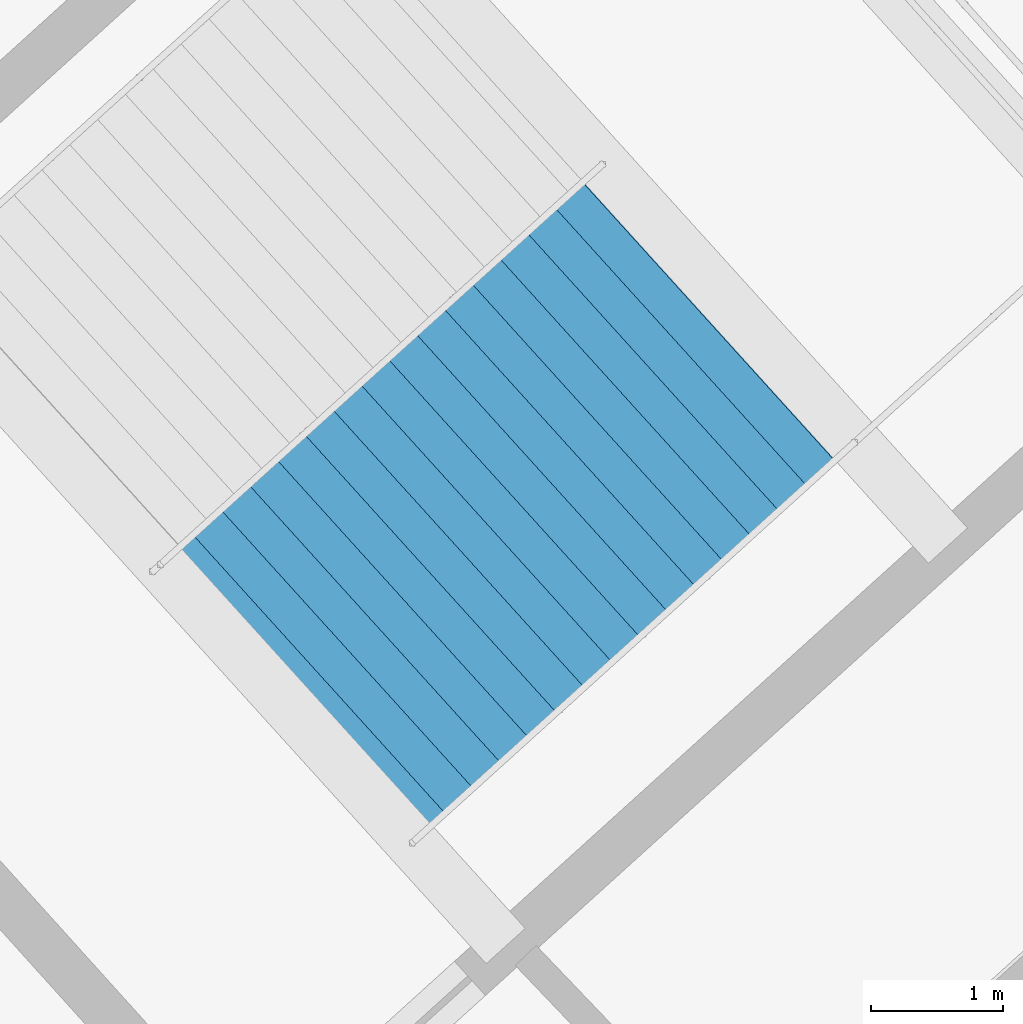
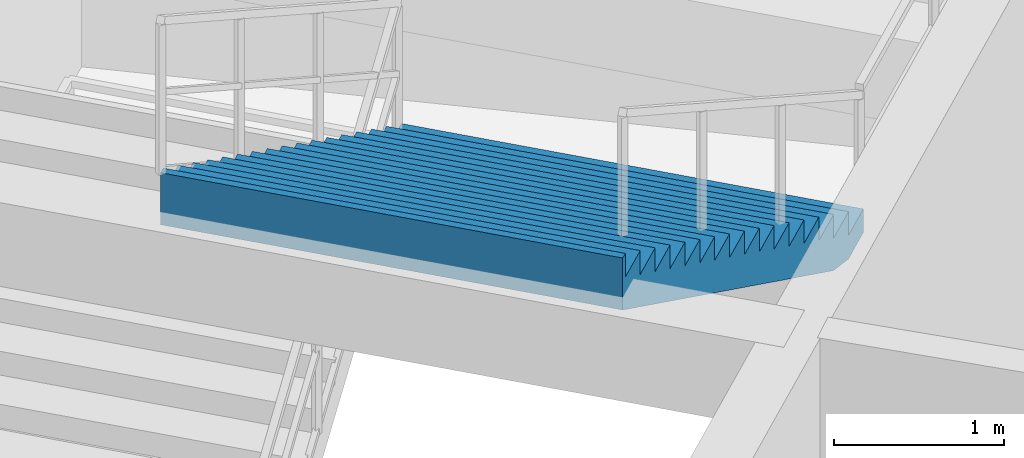
# One storey, part 27 of 48: 1 stair flight, 1 element without a shape of its own.
"""IFC4 building model written with IfcOpenShell, lengths in metres."""

from ifc_helpers import new_model, si_unit, direction, frame, origin, place, context, subcontext, project, spatial, polygons, material, type_object, element, aggregate, save


model = new_model("IFC4")

# Units and contexts
model_context = context("Model", 3, precision=1e-05, world=origin(), true_north=direction((0.0, 1.0)))
body_context = subcontext(model_context, "Body", "Model", "MODEL_VIEW")
ifc_project = project(units=[si_unit("LENGTHUNIT", "METRE"), si_unit("AREAUNIT", "SQUARE_METRE"), si_unit("VOLUMEUNIT", "CUBIC_METRE"), si_unit("PLANEANGLEUNIT", "RADIAN"), si_unit("MASSUNIT", "GRAM", prefix="KILO")], contexts=[model_context])

# Site, building, storey
site_placement = place(None, origin())
site = spatial("IfcSite", under=ifc_project, at=site_placement, CompositionType="ELEMENT")
building_placement = place(site_placement, origin())
building = spatial("IfcBuilding", under=site, at=building_placement, Name="Kazemori Nagisa Stadium", CompositionType="ELEMENT")
storey_placement = place(building_placement, origin())
storey = spatial("IfcBuildingStorey", under=building, at=storey_placement, Name="L00", CompositionType="ELEMENT", Elevation=0.0)

# Stair, stair flight
ifc_material = material(Name="Concrete C36/45 (Fc36)", Category="concrete")
stair_type = type_object("IfcStairType", Name="Stair_CORE_34", PredefinedType="TWO_STRAIGHT_RUN_STAIR", material=ifc_material)
stair_placement = place(storey_placement, origin())
stair = element("IfcStair", 1, at=stair_placement, inside=storey, type_object=stair_type, Name="Exit stair ST04 L00", PredefinedType="TWO_STRAIGHT_RUN_STAIR")
stair_flight_type = type_object("IfcStairFlightType", Name="Flight_CORE_17", PredefinedType="STRAIGHT", material=ifc_material)
stair_flight_placement = place(storey_placement, frame((188.16552734375, 40.445068359375, 2.889892578125), z_axis=(0.0, 0.0, 1.0), x_axis=(-0.741355642131, -0.671112369041, 0.0)))
stair_flight = element("IfcStairFlight", 2, at=stair_flight_placement, type_object=stair_flight_type, Name="Exit stair ST04 L00 flight 2", NumberOfRisers=17, NumberOfTreads=16, PredefinedType="STRAIGHT", RiserHeight=0.17, TreadLength=0.285, context=body_context, shape_type="Tessellation", body=[
    polygons([(0.0, -1.425048828125, 0.0), (0.0, -1.425048828125, 0.169921875), (0.284912109375, -1.425048828125, 0.169921875), (0.284912109375, -1.425048828125, 0.340087890625), (0.570068359375, -1.425048828125, 0.340087890625), (0.570068359375, -1.425048828125, 0.510009765625), (0.85498046875, -1.425048828125, 0.510009765625), (0.85498046875, -1.425048828125, 0.679931640625), (1.139892578125, -1.425048828125, 0.679931640625), (1.139892578125, -1.425048828125, 0.85009765625), (1.425048828125, -1.425048828125, 0.85009765625), (1.425048828125, -1.425048828125, 1.02001953125), (1.7099609375, -1.425048828125, 1.02001953125), (1.7099609375, -1.425048828125, 1.18994140625), (1.9951171875, -1.425048828125, 1.18994140625), (1.9951171875, -1.425048828125, 1.360107421875), (2.280029296875, -1.425048828125, 1.360107421875), (2.280029296875, -1.425048828125, 1.530029296875), (2.56494140625, -1.425048828125, 1.530029296875), (2.56494140625, -1.425048828125, 1.699951171875), (2.85009765625, -1.425048828125, 1.699951171875), (2.85009765625, -1.425048828125, 1.8701171875), (3.135009765625, -1.425048828125, 1.8701171875), (3.135009765625, -1.425048828125, 2.0400390625), (3.419921875, -1.425048828125, 2.0400390625), (3.419921875, -1.425048828125, 2.2099609375), (3.705078125, -1.425048828125, 2.2099609375), (3.705078125, -1.425048828125, 2.3798828125), (3.989990234375, -1.425048828125, 2.3798828125), (3.989990234375, -1.425048828125, 2.550048828125), (4.27490234375, -1.425048828125, 2.550048828125), (4.27490234375, -1.425048828125, 2.719970703125), (4.56005859375, -1.425048828125, 2.719970703125), (4.56005859375, -1.425048828125, 2.889892578125), (4.610107421875, -1.425048828125, 2.889892578125), (4.610107421875, -1.425048828125, 2.51708984375), (4.56005859375, -1.425048828125, 2.487060546875), (4.27490234375, -1.425048828125, 2.317138671875), (3.989990234375, -1.425048828125, 2.147216796875), (3.705078125, -1.425048828125, 1.977294921875), (3.419921875, -1.425048828125, 1.80712890625), (3.135009765625, -1.425048828125, 1.63720703125), (2.85009765625, -1.425048828125, 1.46728515625), (2.56494140625, -1.425048828125, 1.297119140625), (2.280029296875, -1.425048828125, 1.127197265625), (1.9951171875, -1.425048828125, 0.957275390625), (1.7099609375, -1.425048828125, 0.787109375), (1.425048828125, -1.425048828125, 0.6171875), (1.139892578125, -1.425048828125, 0.447265625), (0.85498046875, -1.425048828125, 0.277099609375), (0.570068359375, -1.425048828125, 0.107177734375), (0.284912109375, -1.425048828125, 0.0), (0.0, -0.08544921875, 0.0), (0.0, -0.08544921875, 0.169921875), (0.284912109375, -0.08544921875, 0.169921875), (0.284912109375, -0.08544921875, 0.340087890625), (0.570068359375, -0.08544921875, 0.340087890625), (0.570068359375, -0.08544921875, 0.510009765625), (0.85498046875, -0.08544921875, 0.510009765625), (0.85498046875, -0.08544921875, 0.679931640625), (1.139892578125, -0.08544921875, 0.679931640625), (1.139892578125, -0.08544921875, 0.85009765625), (1.425048828125, -0.08544921875, 0.85009765625), (1.425048828125, -0.08544921875, 1.02001953125), (1.7099609375, -0.08544921875, 1.02001953125), (1.7099609375, -0.08544921875, 1.18994140625), (1.9951171875, -0.08544921875, 1.18994140625), (1.9951171875, -0.08544921875, 1.360107421875), (2.280029296875, -0.08544921875, 1.360107421875), (2.280029296875, -0.08544921875, 1.530029296875), (2.56494140625, -0.08544921875, 1.530029296875), (2.56494140625, -0.08544921875, 1.699951171875), (2.85009765625, -0.08544921875, 1.699951171875), (2.85009765625, -0.08544921875, 1.8701171875), (3.135009765625, -0.08544921875, 1.8701171875), (3.135009765625, -0.08544921875, 2.0400390625), (3.419921875, -0.08544921875, 2.0400390625), (3.419921875, -0.08544921875, 2.2099609375), (3.705078125, -0.08544921875, 2.2099609375), (3.705078125, -0.08544921875, 2.3798828125), (3.989990234375, -0.08544921875, 2.3798828125), (3.989990234375, -0.08544921875, 2.550048828125), (4.27490234375, -0.08544921875, 2.550048828125), (4.27490234375, -0.08544921875, 2.719970703125), (4.56005859375, -0.08544921875, 2.719970703125), (4.56005859375, -0.08544921875, 2.889892578125), (4.610107421875, -0.08544921875, 2.889892578125), (4.610107421875, -0.08544921875, 2.51708984375), (4.56005859375, -0.08544921875, 2.487060546875), (4.27490234375, -0.08544921875, 2.317138671875), (3.989990234375, -0.08544921875, 2.147216796875), (3.705078125, -0.08544921875, 1.977294921875), (3.419921875, -0.08544921875, 1.80712890625), (3.135009765625, -0.08544921875, 1.63720703125), (2.85009765625, -0.08544921875, 1.46728515625), (2.56494140625, -0.08544921875, 1.297119140625), (2.280029296875, -0.08544921875, 1.127197265625), (1.9951171875, -0.08544921875, 0.957275390625), (1.7099609375, -0.08544921875, 0.787109375), (1.425048828125, -0.08544921875, 0.6171875), (1.139892578125, -0.08544921875, 0.447265625), (0.85498046875, -0.08544921875, 0.277099609375), (0.570068359375, -0.08544921875, 0.107177734375), (0.284912109375, -0.08544921875, 0.0), (0.0, 0.0, 0.0), (0.0, 0.0, 0.169921875), (0.284912109375, 0.0, 0.169921875), (0.284912109375, 0.0, 0.340087890625), (0.570068359375, 0.0, 0.340087890625), (0.570068359375, 0.0, 0.510009765625), (0.85498046875, 0.0, 0.510009765625), (0.85498046875, 0.0, 0.679931640625), (1.139892578125, 0.0, 0.679931640625), (1.139892578125, 0.0, 0.85009765625), (1.425048828125, 0.0, 0.85009765625), (1.425048828125, 0.0, 1.02001953125), (1.7099609375, 0.0, 1.02001953125), (1.7099609375, 0.0, 1.18994140625), (1.9951171875, 0.0, 1.18994140625), (1.9951171875, 0.0, 1.360107421875), (2.280029296875, 0.0, 1.360107421875), (2.280029296875, 0.0, 1.530029296875), (2.56494140625, 0.0, 1.530029296875), (2.56494140625, 0.0, 1.699951171875), (2.85009765625, 0.0, 1.699951171875), (2.85009765625, 0.0, 1.8701171875), (3.135009765625, 0.0, 1.8701171875), (3.135009765625, 0.0, 2.0400390625), (3.419921875, 0.0, 2.0400390625), (3.419921875, 0.0, 2.2099609375), (3.705078125, 0.0, 2.2099609375), (3.705078125, 0.0, 2.3798828125), (3.989990234375, 0.0, 2.3798828125), (3.989990234375, 0.0, 2.550048828125), (4.27490234375, 0.0, 2.550048828125), (4.27490234375, 0.0, 2.719970703125), (4.56005859375, 0.0, 2.719970703125), (4.56005859375, 0.0, 2.889892578125), (4.610107421875, 0.0, 2.889892578125), (4.610107421875, 0.0, 2.51708984375), (4.56005859375, 0.0, 2.487060546875), (4.27490234375, 0.0, 2.317138671875), (3.989990234375, 0.0, 2.147216796875), (3.705078125, 0.0, 1.977294921875), (3.419921875, 0.0, 1.80712890625), (3.135009765625, 0.0, 1.63720703125), (2.85009765625, 0.0, 1.46728515625), (2.56494140625, 0.0, 1.297119140625), (2.280029296875, 0.0, 1.127197265625), (1.9951171875, 0.0, 0.957275390625), (1.7099609375, 0.0, 0.787109375), (1.425048828125, 0.0, 0.6171875), (1.139892578125, 0.0, 0.447265625), (0.85498046875, 0.0, 0.277099609375), (0.570068359375, 0.0, 0.107177734375), (0.284912109375, 0.0, 0.0), (0.0, 0.08544921875, 0.0), (0.0, 0.08544921875, 0.169921875), (0.284912109375, 0.08544921875, 0.169921875), (0.284912109375, 0.08544921875, 0.340087890625), (0.570068359375, 0.08544921875, 0.340087890625), (0.570068359375, 0.08544921875, 0.510009765625), (0.85498046875, 0.08544921875, 0.510009765625), (0.85498046875, 0.08544921875, 0.679931640625), (1.139892578125, 0.08544921875, 0.679931640625), (1.139892578125, 0.08544921875, 0.85009765625), (1.425048828125, 0.08544921875, 0.85009765625), (1.425048828125, 0.08544921875, 1.02001953125), (1.7099609375, 0.08544921875, 1.02001953125), (1.7099609375, 0.08544921875, 1.18994140625), (1.9951171875, 0.08544921875, 1.18994140625), (1.9951171875, 0.08544921875, 1.360107421875), (2.280029296875, 0.08544921875, 1.360107421875), (2.280029296875, 0.08544921875, 1.530029296875), (2.56494140625, 0.08544921875, 1.530029296875), (2.56494140625, 0.08544921875, 1.699951171875), (2.85009765625, 0.08544921875, 1.699951171875), (2.85009765625, 0.08544921875, 1.8701171875), (3.135009765625, 0.08544921875, 1.8701171875), (3.135009765625, 0.08544921875, 2.0400390625), (3.419921875, 0.08544921875, 2.0400390625), (3.419921875, 0.08544921875, 2.2099609375), (3.705078125, 0.08544921875, 2.2099609375), (3.705078125, 0.08544921875, 2.3798828125), (3.989990234375, 0.08544921875, 2.3798828125), (3.989990234375, 0.08544921875, 2.550048828125), (4.27490234375, 0.08544921875, 2.550048828125), (4.27490234375, 0.08544921875, 2.719970703125), (4.56005859375, 0.08544921875, 2.719970703125), (4.56005859375, 0.08544921875, 2.889892578125), (4.610107421875, 0.08544921875, 2.889892578125), (4.610107421875, 0.08544921875, 2.51708984375), (4.56005859375, 0.08544921875, 2.487060546875), (4.27490234375, 0.08544921875, 2.317138671875), (3.989990234375, 0.08544921875, 2.147216796875), (3.705078125, 0.08544921875, 1.977294921875), (3.419921875, 0.08544921875, 1.80712890625), (3.135009765625, 0.08544921875, 1.63720703125), (2.85009765625, 0.08544921875, 1.46728515625), (2.56494140625, 0.08544921875, 1.297119140625), (2.280029296875, 0.08544921875, 1.127197265625), (1.9951171875, 0.08544921875, 0.957275390625), (1.7099609375, 0.08544921875, 0.787109375), (1.425048828125, 0.08544921875, 0.6171875), (1.139892578125, 0.08544921875, 0.447265625), (0.85498046875, 0.08544921875, 0.277099609375), (0.570068359375, 0.08544921875, 0.107177734375), (0.284912109375, 0.08544921875, 0.0), (0.0, 1.425048828125, 0.0), (0.0, 1.425048828125, 0.169921875), (0.284912109375, 1.425048828125, 0.169921875), (0.284912109375, 1.425048828125, 0.340087890625), (0.570068359375, 1.425048828125, 0.340087890625), (0.570068359375, 1.425048828125, 0.510009765625), (0.85498046875, 1.425048828125, 0.510009765625), (0.85498046875, 1.425048828125, 0.679931640625), (1.139892578125, 1.425048828125, 0.679931640625), (1.139892578125, 1.425048828125, 0.85009765625), (1.425048828125, 1.425048828125, 0.85009765625), (1.425048828125, 1.425048828125, 1.02001953125), (1.7099609375, 1.425048828125, 1.02001953125), (1.7099609375, 1.425048828125, 1.18994140625), (1.9951171875, 1.425048828125, 1.18994140625), (1.9951171875, 1.425048828125, 1.360107421875), (2.280029296875, 1.425048828125, 1.360107421875), (2.280029296875, 1.425048828125, 1.530029296875), (2.56494140625, 1.425048828125, 1.530029296875), (2.56494140625, 1.425048828125, 1.699951171875), (2.85009765625, 1.425048828125, 1.699951171875), (2.85009765625, 1.425048828125, 1.8701171875), (3.135009765625, 1.425048828125, 1.8701171875), (3.135009765625, 1.425048828125, 2.0400390625), (3.419921875, 1.425048828125, 2.0400390625), (3.419921875, 1.425048828125, 2.2099609375), (3.705078125, 1.425048828125, 2.2099609375), (3.705078125, 1.425048828125, 2.3798828125), (3.989990234375, 1.425048828125, 2.3798828125), (3.989990234375, 1.425048828125, 2.550048828125), (4.27490234375, 1.425048828125, 2.550048828125), (4.27490234375, 1.425048828125, 2.719970703125), (4.56005859375, 1.425048828125, 2.719970703125), (4.56005859375, 1.425048828125, 2.889892578125), (4.610107421875, 1.425048828125, 2.889892578125), (4.610107421875, 1.425048828125, 2.51708984375), (4.56005859375, 1.425048828125, 2.487060546875), (4.27490234375, 1.425048828125, 2.317138671875), (3.989990234375, 1.425048828125, 2.147216796875), (3.705078125, 1.425048828125, 1.977294921875), (3.419921875, 1.425048828125, 1.80712890625), (3.135009765625, 1.425048828125, 1.63720703125), (2.85009765625, 1.425048828125, 1.46728515625), (2.56494140625, 1.425048828125, 1.297119140625), (2.280029296875, 1.425048828125, 1.127197265625), (1.9951171875, 1.425048828125, 0.957275390625), (1.7099609375, 1.425048828125, 0.787109375), (1.425048828125, 1.425048828125, 0.6171875), (1.139892578125, 1.425048828125, 0.447265625), (0.85498046875, 1.425048828125, 0.277099609375), (0.570068359375, 1.425048828125, 0.107177734375), (0.284912109375, 1.425048828125, 0.0)], [[[1, 2, 54]], [[1, 54, 53]], [[2, 3, 55]], [[2, 55, 54]], [[3, 4, 56]], [[3, 56, 55]], [[4, 5, 57]], [[4, 57, 56]], [[5, 6, 58]], [[5, 58, 57]], [[6, 7, 59]], [[6, 59, 58]], [[7, 8, 60]], [[7, 60, 59]], [[8, 9, 61]], [[8, 61, 60]], [[9, 10, 62]], [[9, 62, 61]], [[10, 11, 63]], [[10, 63, 62]], [[11, 12, 64]], [[11, 64, 63]], [[12, 13, 65]], [[12, 65, 64]], [[13, 14, 66]], [[13, 66, 65]], [[14, 15, 67]], [[14, 67, 66]], [[15, 16, 68]], [[15, 68, 67]], [[16, 17, 69]], [[16, 69, 68]], [[17, 18, 70]], [[17, 70, 69]], [[18, 19, 71]], [[18, 71, 70]], [[19, 20, 72]], [[19, 72, 71]], [[20, 21, 73]], [[20, 73, 72]], [[21, 22, 74]], [[21, 74, 73]], [[22, 23, 75]], [[22, 75, 74]], [[23, 24, 76]], [[23, 76, 75]], [[24, 25, 77]], [[24, 77, 76]], [[25, 26, 78]], [[25, 78, 77]], [[26, 27, 79]], [[26, 79, 78]], [[27, 28, 80]], [[27, 80, 79]], [[28, 29, 81]], [[28, 81, 80]], [[29, 30, 82]], [[29, 82, 81]], [[30, 31, 83]], [[30, 83, 82]], [[31, 32, 84]], [[31, 84, 83]], [[32, 33, 85]], [[32, 85, 84]], [[33, 34, 86]], [[33, 86, 85]], [[34, 35, 87]], [[34, 87, 86]], [[35, 36, 88]], [[35, 88, 87]], [[36, 37, 89]], [[36, 89, 88]], [[37, 38, 90]], [[37, 90, 89]], [[38, 39, 91]], [[38, 91, 90]], [[39, 40, 92]], [[39, 92, 91]], [[40, 41, 93]], [[40, 93, 92]], [[41, 42, 94]], [[41, 94, 93]], [[42, 43, 95]], [[42, 95, 94]], [[43, 44, 96]], [[43, 96, 95]], [[44, 45, 97]], [[44, 97, 96]], [[45, 46, 98]], [[45, 98, 97]], [[46, 47, 99]], [[46, 99, 98]], [[47, 48, 100]], [[47, 100, 99]], [[48, 49, 101]], [[48, 101, 100]], [[49, 50, 102]], [[49, 102, 101]], [[50, 51, 103]], [[50, 103, 102]], [[51, 52, 104]], [[51, 104, 103]], [[52, 1, 53]], [[52, 53, 104]], [[53, 54, 106]], [[53, 106, 105]], [[54, 55, 107]], [[54, 107, 106]], [[55, 56, 108]], [[55, 108, 107]], [[56, 57, 109]], [[56, 109, 108]], [[57, 58, 110]], [[57, 110, 109]], [[58, 59, 111]], [[58, 111, 110]], [[59, 60, 112]], [[59, 112, 111]], [[60, 61, 113]], [[60, 113, 112]], [[61, 62, 114]], [[61, 114, 113]], [[62, 63, 115]], [[62, 115, 114]], [[63, 64, 116]], [[63, 116, 115]], [[64, 65, 117]], [[64, 117, 116]], [[65, 66, 118]], [[65, 118, 117]], [[66, 67, 119]], [[66, 119, 118]], [[67, 68, 120]], [[67, 120, 119]], [[68, 69, 121]], [[68, 121, 120]], [[69, 70, 122]], [[69, 122, 121]], [[70, 71, 123]], [[70, 123, 122]], [[71, 72, 124]], [[71, 124, 123]], [[72, 73, 125]], [[72, 125, 124]], [[73, 74, 126]], [[73, 126, 125]], [[74, 75, 127]], [[74, 127, 126]], [[75, 76, 128]], [[75, 128, 127]], [[76, 77, 129]], [[76, 129, 128]], [[77, 78, 130]], [[77, 130, 129]], [[78, 79, 131]], [[78, 131, 130]], [[79, 80, 132]], [[79, 132, 131]], [[80, 81, 133]], [[80, 133, 132]], [[81, 82, 134]], [[81, 134, 133]], [[82, 83, 135]], [[82, 135, 134]], [[83, 84, 136]], [[83, 136, 135]], [[84, 85, 137]], [[84, 137, 136]], [[85, 86, 138]], [[85, 138, 137]], [[86, 87, 139]], [[86, 139, 138]], [[87, 88, 140]], [[87, 140, 139]], [[88, 89, 141]], [[88, 141, 140]], [[89, 90, 142]], [[89, 142, 141]], [[90, 91, 143]], [[90, 143, 142]], [[91, 92, 144]], [[91, 144, 143]], [[92, 93, 145]], [[92, 145, 144]], [[93, 94, 146]], [[93, 146, 145]], [[94, 95, 147]], [[94, 147, 146]], [[95, 96, 148]], [[95, 148, 147]], [[96, 97, 149]], [[96, 149, 148]], [[97, 98, 150]], [[97, 150, 149]], [[98, 99, 151]], [[98, 151, 150]], [[99, 100, 152]], [[99, 152, 151]], [[100, 101, 153]], [[100, 153, 152]], [[101, 102, 154]], [[101, 154, 153]], [[102, 103, 155]], [[102, 155, 154]], [[103, 104, 156]], [[103, 156, 155]], [[104, 53, 105]], [[104, 105, 156]], [[105, 106, 158]], [[105, 158, 157]], [[106, 107, 159]], [[106, 159, 158]], [[107, 108, 160]], [[107, 160, 159]], [[108, 109, 161]], [[108, 161, 160]], [[109, 110, 162]], [[109, 162, 161]], [[110, 111, 163]], [[110, 163, 162]], [[111, 112, 164]], [[111, 164, 163]], [[112, 113, 165]], [[112, 165, 164]], [[113, 114, 166]], [[113, 166, 165]], [[114, 115, 167]], [[114, 167, 166]], [[115, 116, 168]], [[115, 168, 167]], [[116, 117, 169]], [[116, 169, 168]], [[117, 118, 170]], [[117, 170, 169]], [[118, 119, 171]], [[118, 171, 170]], [[119, 120, 172]], [[119, 172, 171]], [[120, 121, 173]], [[120, 173, 172]], [[121, 122, 174]], [[121, 174, 173]], [[122, 123, 175]], [[122, 175, 174]], [[123, 124, 176]], [[123, 176, 175]], [[124, 125, 177]], [[124, 177, 176]], [[125, 126, 178]], [[125, 178, 177]], [[126, 127, 179]], [[126, 179, 178]], [[127, 128, 180]], [[127, 180, 179]], [[128, 129, 181]], [[128, 181, 180]], [[129, 130, 182]], [[129, 182, 181]], [[130, 131, 183]], [[130, 183, 182]], [[131, 132, 184]], [[131, 184, 183]], [[132, 133, 185]], [[132, 185, 184]], [[133, 134, 186]], [[133, 186, 185]], [[134, 135, 187]], [[134, 187, 186]], [[135, 136, 188]], [[135, 188, 187]], [[136, 137, 189]], [[136, 189, 188]], [[137, 138, 190]], [[137, 190, 189]], [[138, 139, 191]], [[138, 191, 190]], [[139, 140, 192]], [[139, 192, 191]], [[140, 141, 193]], [[140, 193, 192]], [[141, 142, 194]], [[141, 194, 193]], [[142, 143, 195]], [[142, 195, 194]], [[143, 144, 196]], [[143, 196, 195]], [[144, 145, 197]], [[144, 197, 196]], [[145, 146, 198]], [[145, 198, 197]], [[146, 147, 199]], [[146, 199, 198]], [[147, 148, 200]], [[147, 200, 199]], [[148, 149, 201]], [[148, 201, 200]], [[149, 150, 202]], [[149, 202, 201]], [[150, 151, 203]], [[150, 203, 202]], [[151, 152, 204]], [[151, 204, 203]], [[152, 153, 205]], [[152, 205, 204]], [[153, 154, 206]], [[153, 206, 205]], [[154, 155, 207]], [[154, 207, 206]], [[155, 156, 208]], [[155, 208, 207]], [[156, 105, 157]], [[156, 157, 208]], [[157, 158, 210]], [[157, 210, 209]], [[158, 159, 211]], [[158, 211, 210]], [[159, 160, 212]], [[159, 212, 211]], [[160, 161, 213]], [[160, 213, 212]], [[161, 162, 214]], [[161, 214, 213]], [[162, 163, 215]], [[162, 215, 214]], [[163, 164, 216]], [[163, 216, 215]], [[164, 165, 217]], [[164, 217, 216]], [[165, 166, 218]], [[165, 218, 217]], [[166, 167, 219]], [[166, 219, 218]], [[167, 168, 220]], [[167, 220, 219]], [[168, 169, 221]], [[168, 221, 220]], [[169, 170, 222]], [[169, 222, 221]], [[170, 171, 223]], [[170, 223, 222]], [[171, 172, 224]], [[171, 224, 223]], [[172, 173, 225]], [[172, 225, 224]], [[173, 174, 226]], [[173, 226, 225]], [[174, 175, 227]], [[174, 227, 226]], [[175, 176, 228]], [[175, 228, 227]], [[176, 177, 229]], [[176, 229, 228]], [[177, 178, 230]], [[177, 230, 229]], [[178, 179, 231]], [[178, 231, 230]], [[179, 180, 232]], [[179, 232, 231]], [[180, 181, 233]], [[180, 233, 232]], [[181, 182, 234]], [[181, 234, 233]], [[182, 183, 235]], [[182, 235, 234]], [[183, 184, 236]], [[183, 236, 235]], [[184, 185, 237]], [[184, 237, 236]], [[185, 186, 238]], [[185, 238, 237]], [[186, 187, 239]], [[186, 239, 238]], [[187, 188, 240]], [[187, 240, 239]], [[188, 189, 241]], [[188, 241, 240]], [[189, 190, 242]], [[189, 242, 241]], [[190, 191, 243]], [[190, 243, 242]], [[191, 192, 244]], [[191, 244, 243]], [[192, 193, 245]], [[192, 245, 244]], [[193, 194, 246]], [[193, 246, 245]], [[194, 195, 247]], [[194, 247, 246]], [[195, 196, 248]], [[195, 248, 247]], [[196, 197, 249]], [[196, 249, 248]], [[197, 198, 250]], [[197, 250, 249]], [[198, 199, 251]], [[198, 251, 250]], [[199, 200, 252]], [[199, 252, 251]], [[200, 201, 253]], [[200, 253, 252]], [[201, 202, 254]], [[201, 254, 253]], [[202, 203, 255]], [[202, 255, 254]], [[203, 204, 256]], [[203, 256, 255]], [[204, 205, 257]], [[204, 257, 256]], [[205, 206, 258]], [[205, 258, 257]], [[206, 207, 259]], [[206, 259, 258]], [[207, 208, 260]], [[207, 260, 259]], [[208, 157, 209]], [[208, 209, 260]], [[3, 2, 1]], [[209, 210, 211]], [[52, 3, 1]], [[209, 211, 260]], [[51, 3, 52]], [[260, 211, 259]], [[5, 3, 51]], [[259, 211, 213]], [[5, 4, 3]], [[211, 212, 213]], [[50, 5, 51]], [[259, 213, 258]], [[7, 5, 50]], [[258, 213, 215]], [[7, 6, 5]], [[213, 214, 215]], [[49, 7, 50]], [[258, 215, 257]], [[9, 7, 49]], [[257, 215, 217]], [[9, 8, 7]], [[215, 216, 217]], [[48, 9, 49]], [[257, 217, 256]], [[11, 9, 48]], [[256, 217, 219]], [[11, 10, 9]], [[217, 218, 219]], [[47, 11, 48]], [[256, 219, 255]], [[13, 11, 47]], [[255, 219, 221]], [[13, 12, 11]], [[219, 220, 221]], [[46, 13, 47]], [[255, 221, 254]], [[15, 13, 46]], [[254, 221, 223]], [[15, 14, 13]], [[221, 222, 223]], [[45, 15, 46]], [[254, 223, 253]], [[17, 15, 45]], [[253, 223, 225]], [[17, 16, 15]], [[223, 224, 225]], [[44, 17, 45]], [[253, 225, 252]], [[19, 17, 44]], [[252, 225, 227]], [[19, 18, 17]], [[225, 226, 227]], [[43, 19, 44]], [[252, 227, 251]], [[21, 19, 43]], [[251, 227, 229]], [[21, 20, 19]], [[227, 228, 229]], [[42, 21, 43]], [[251, 229, 250]], [[23, 21, 42]], [[250, 229, 231]], [[23, 22, 21]], [[229, 230, 231]], [[41, 23, 42]], [[250, 231, 249]], [[25, 23, 41]], [[249, 231, 233]], [[25, 24, 23]], [[231, 232, 233]], [[40, 25, 41]], [[249, 233, 248]], [[27, 25, 40]], [[248, 233, 235]], [[27, 26, 25]], [[233, 234, 235]], [[39, 27, 40]], [[248, 235, 247]], [[29, 27, 39]], [[247, 235, 237]], [[29, 28, 27]], [[235, 236, 237]], [[38, 29, 39]], [[247, 237, 246]], [[31, 29, 38]], [[246, 237, 239]], [[31, 30, 29]], [[237, 238, 239]], [[37, 31, 38]], [[246, 239, 245]], [[33, 31, 37]], [[245, 239, 241]], [[33, 32, 31]], [[239, 240, 241]], [[36, 33, 37]], [[245, 241, 244]], [[35, 33, 36]], [[244, 241, 243]], [[35, 34, 33]], [[241, 242, 243]]], closed=True),
])
aggregate(stair, [stair_flight])

save(model, "model.ifc")
